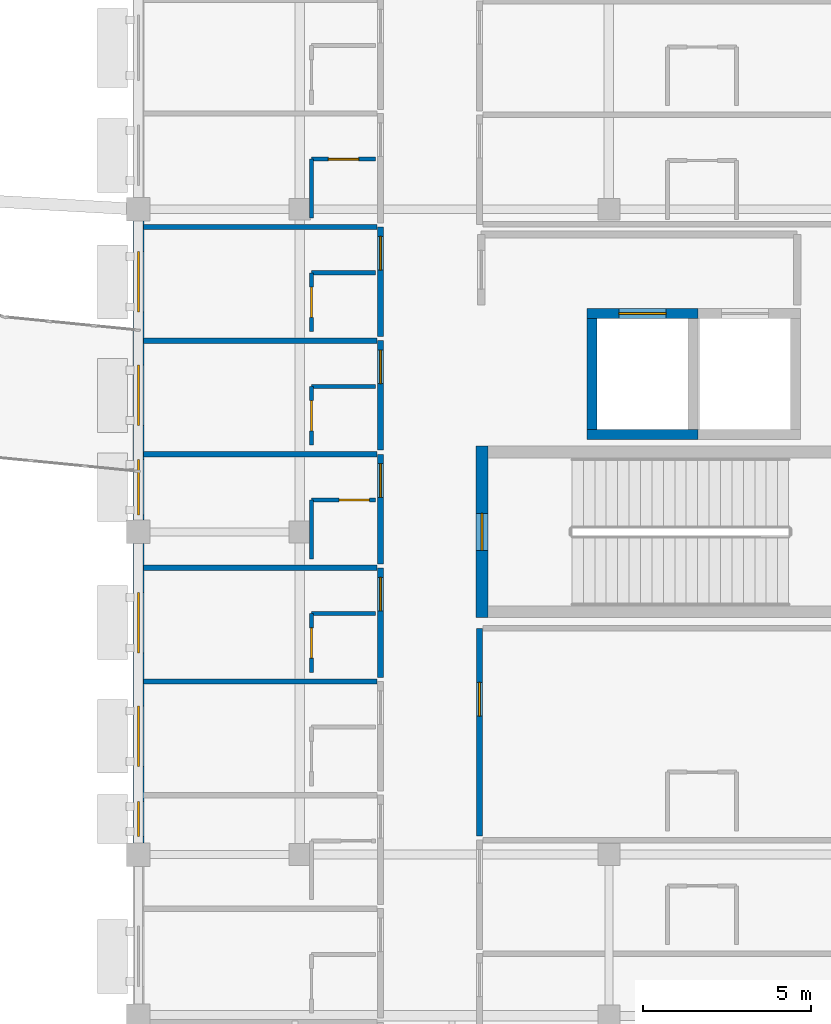
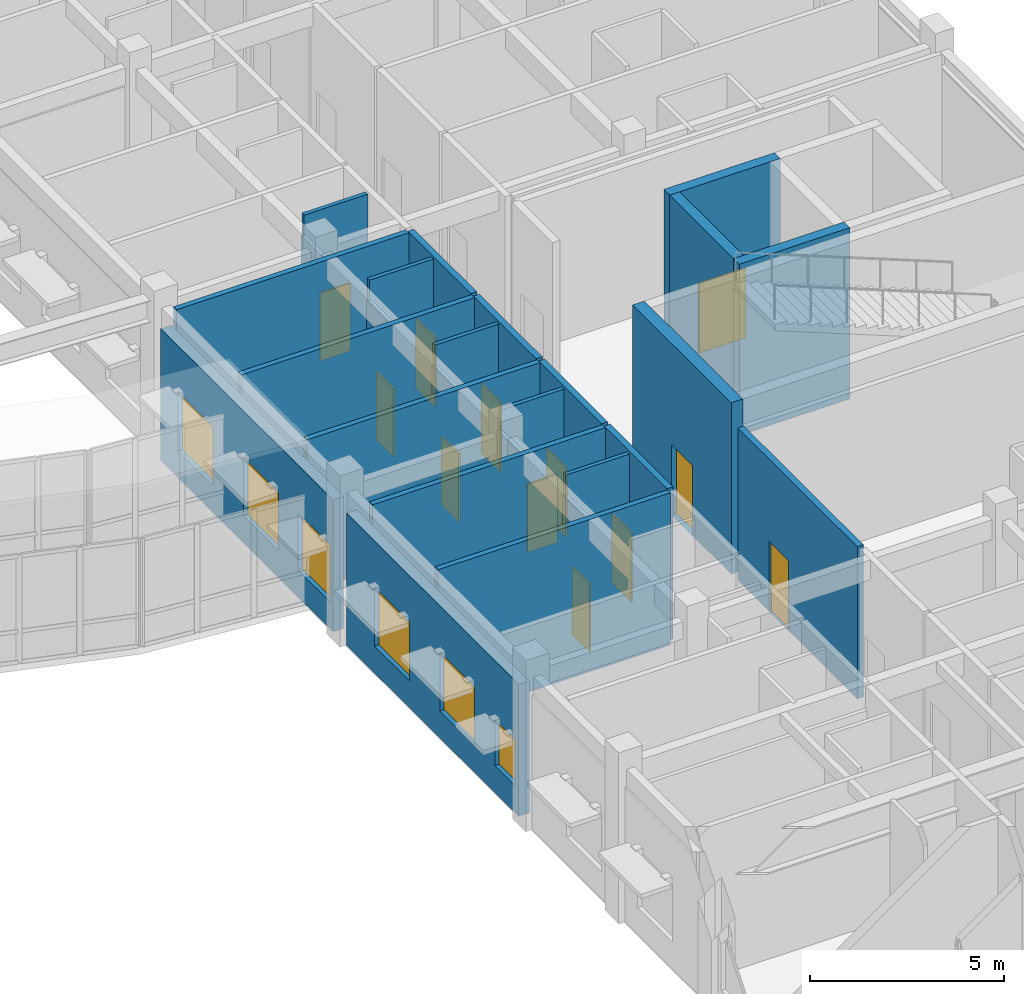
# One storey, part 50 of 68: 26 walls, 12 doors, 6 windows, 18 openings.
"""IFC4 building model written with IfcOpenShell, lengths in metres."""

from ifc_helpers import new_model, si_unit, direction, frame, frame_2d, origin, place, context, subcontext, project, spatial, rectangle, extrude, material, layer, layer_set, type_object, element, fill, save


model = new_model("IFC4")

# Units and contexts
model_context = context("Model", 3, precision=1e-05, world=origin(), true_north=direction((0.0, 1.0)))
body_context = subcontext(model_context, "Body", "Model", "MODEL_VIEW")
ifc_project = project(units=[si_unit("LENGTHUNIT", "METRE"), si_unit("AREAUNIT", "SQUARE_METRE"), si_unit("VOLUMEUNIT", "CUBIC_METRE"), si_unit("PLANEANGLEUNIT", "RADIAN"), si_unit("MASSUNIT", "GRAM", prefix="KILO")], contexts=[model_context])

# Site, building, storey
site_placement = place(None, origin())
site = spatial("IfcSite", under=ifc_project, at=site_placement, CompositionType="ELEMENT")
building_placement = place(site_placement, origin())
building = spatial("IfcBuilding", under=site, at=building_placement, Name="Veldera Park Congress Hotel", CompositionType="ELEMENT")
storey_placement = place(building_placement, frame((0.0, 0.0, 10.800048828125)))
storey = spatial("IfcBuildingStorey", under=building, at=storey_placement, Name="L02", CompositionType="ELEMENT", Elevation=10.800048828125)

# Wall, openings, windows
ifc_material_1 = material(Name="Cross-laminated timber CLT V2M1.1", Category="wood")
ifc_layer_1 = layer(ifc_material_1, 0.320068359375)
ifc_layer_set_1 = layer_set([ifc_layer_1], Name="Cross-laminated timber CLT V2M1.1")
wall_type_1 = type_object("IfcWallType", Name="EW-CLT320", PredefinedType="STANDARD", material=ifc_layer_set_1)
wall_1_placement = place(storey_placement, frame((60.800048828125, 0.251953125, 0.0), z_axis=(0.0, 0.0, 1.0), x_axis=(0.0, -1.0, 0.0)))
wall_1 = element("IfcWall", 1, at=wall_1_placement, inside=storey, type_object=wall_type_1, Name="L02 Exterior Wall EW3-L02-0201", PredefinedType="STANDARD", context=body_context, shape_type="SweptSolid", body=[
    extrude(rectangle(XDim=8.904052734375, YDim=0.320068359375, at=frame_2d((4.4521484375, 0.0))), origin(), (0.0, 0.0, 1.0), 4.155029296875),
])
opening_1_placement = place(wall_1_placement, frame((7.097900390625, 0.0, 0.85009765625)))
opening_1 = element("IfcOpeningElement", 2, at=opening_1_placement, cuts=wall_1, Name="Opening WIN-1650", PredefinedType="OPENING", context=body_context, shape_type="SweptSolid", body=[
    extrude(rectangle(XDim=1.64990234375, YDim=1.800048828125, at=frame_2d((0.824951171875, 0.89990234375))), frame((0.0, 0.172119140625, 0.0), z_axis=(0.0, -1.0, 0.0), x_axis=(1.0, 0.0, 0.0)), (0.0, 0.0, 1.0), 0.343994140625),
])
opening_2_placement = place(wall_1_placement, frame((4.2919921875, 0.0, 0.85009765625)))
opening_2 = element("IfcOpeningElement", 3, at=opening_2_placement, cuts=wall_1, Name="Opening WIN-1800", PredefinedType="OPENING", context=body_context, shape_type="SweptSolid", body=[
    extrude(rectangle(XDim=1.800048828125, YDim=1.85009765625, at=frame_2d((0.89990234375, 0.925048828125))), frame((0.0, 0.172119140625, 0.0), z_axis=(0.0, -1.0, 0.0), x_axis=(1.0, 0.0, 0.0)), (0.0, 0.0, 1.0), 0.343994140625),
])
opening_3_placement = place(wall_1_placement, frame((0.912109375, 0.0, 0.85009765625)))
opening_3 = element("IfcOpeningElement", 4, at=opening_3_placement, cuts=wall_1, Name="Opening WIN-1800", PredefinedType="OPENING", context=body_context, shape_type="SweptSolid", body=[
    extrude(rectangle(XDim=1.800048828125, YDim=1.85009765625, at=frame_2d((0.89990234375, 0.925048828125))), frame((0.0, 0.172119140625, 0.0), z_axis=(0.0, -1.0, 0.0), x_axis=(1.0, 0.0, 0.0)), (0.0, 0.0, 1.0), 0.343994140625),
])
ifc_material_2 = material(Name="Low-E Triple Insulating Glass Unit (SHGC 0.22)", Category="glass")
window_type_1 = type_object("IfcWindowType", Name="WIN-1650", PartitioningType="SINGLE_PANEL", PredefinedType="WINDOW", material=ifc_material_2)
window_1_placement = place(opening_1_placement, origin())
window_1 = element("IfcWindow", 5, at=window_1_placement, inside=storey, type_object=window_type_1, Name="L02 Window WIN-1650 367", OverallHeight=1.800048828125, OverallWidth=1.64990234375, PartitioningType="SINGLE_PANEL", PredefinedType="WINDOW", context=body_context, shape_type="SweptSolid", body=[
    extrude(rectangle(XDim=1.64990234375, YDim=1.800048828125, at=frame_2d((0.824951171875, 0.89990234375))), frame((0.0, 0.030029296875, 0.0), z_axis=(0.0, -1.0, 0.0), x_axis=(1.0, 0.0, 0.0)), (0.0, 0.0, 1.0), 0.06005859375),
])
fill(opening_1, window_1)
window_type_2 = type_object("IfcWindowType", Name="WIN-1800", PartitioningType="SINGLE_PANEL", PredefinedType="WINDOW", material=ifc_material_2)
window_2_placement = place(opening_2_placement, origin())
window_2 = element("IfcWindow", 6, at=window_2_placement, inside=storey, type_object=window_type_2, Name="L02 Window WIN-1800 368", OverallHeight=1.85009765625, OverallWidth=1.800048828125, PartitioningType="SINGLE_PANEL", PredefinedType="WINDOW", context=body_context, shape_type="SweptSolid", body=[
    extrude(rectangle(XDim=1.800048828125, YDim=1.85009765625, at=frame_2d((0.89990234375, 0.925048828125))), frame((0.0, 0.030029296875, 0.0), z_axis=(0.0, -1.0, 0.0), x_axis=(1.0, 0.0, 0.0)), (0.0, 0.0, 1.0), 0.06005859375),
])
fill(opening_2, window_2)
window_3_placement = place(opening_3_placement, origin())
window_3 = element("IfcWindow", 7, at=window_3_placement, inside=storey, type_object=window_type_2, Name="L02 Window WIN-1800 369", OverallHeight=1.85009765625, OverallWidth=1.800048828125, PartitioningType="SINGLE_PANEL", PredefinedType="WINDOW", context=body_context, shape_type="SweptSolid", body=[
    extrude(rectangle(XDim=1.800048828125, YDim=1.85009765625, at=frame_2d((0.89990234375, 0.925048828125))), frame((0.0, 0.030029296875, 0.0), z_axis=(0.0, -1.0, 0.0), x_axis=(1.0, 0.0, 0.0)), (0.0, 0.0, 1.0), 0.06005859375),
])
fill(opening_3, window_3)

wall_2_placement = place(storey_placement, frame((60.800048828125, -9.347900390625, 0.0), z_axis=(0.0, 0.0, 1.0), x_axis=(0.0, -1.0, 0.0)))
wall_2 = element("IfcWall", 8, at=wall_2_placement, inside=storey, type_object=wall_type_1, Name="L02 Exterior Wall EW3-L02-0202", PredefinedType="STANDARD", context=body_context, shape_type="SweptSolid", body=[
    extrude(rectangle(XDim=8.904052734375, YDim=0.320068359375, at=frame_2d((4.4521484375, 0.0))), origin(), (0.0, 0.0, 1.0), 4.155029296875),
])
opening_4_placement = place(wall_2_placement, frame((7.66796875, 0.0, 0.85009765625)))
opening_4 = element("IfcOpeningElement", 9, at=opening_4_placement, cuts=wall_2, Name="Opening WIN-1050", PredefinedType="OPENING", context=body_context, shape_type="SweptSolid", body=[
    extrude(rectangle(XDim=1.050048828125, YDim=1.449951171875, at=frame_2d((0.52490234375, 0.72509765625))), frame((0.0, 0.172119140625, 0.0), z_axis=(0.0, -1.0, 0.0), x_axis=(1.0, 0.0, 0.0)), (0.0, 0.0, 1.0), 0.343994140625),
])
opening_5_placement = place(wall_2_placement, frame((4.83203125, 0.0, 0.85009765625)))
opening_5 = element("IfcOpeningElement", 10, at=opening_5_placement, cuts=wall_2, Name="Opening WIN-1800", PredefinedType="OPENING", context=body_context, shape_type="SweptSolid", body=[
    extrude(rectangle(XDim=1.800048828125, YDim=1.85009765625, at=frame_2d((0.89990234375, 0.925048828125))), frame((0.0, 0.172119140625, 0.0), z_axis=(0.0, -1.0, 0.0), x_axis=(1.0, 0.0, 0.0)), (0.0, 0.0, 1.0), 0.343994140625),
])
opening_6_placement = place(wall_2_placement, frame((1.451904296875, 0.0, 0.85009765625)))
opening_6 = element("IfcOpeningElement", 11, at=opening_6_placement, cuts=wall_2, Name="Opening WIN-1800", PredefinedType="OPENING", context=body_context, shape_type="SweptSolid", body=[
    extrude(rectangle(XDim=1.800048828125, YDim=1.85009765625, at=frame_2d((0.89990234375, 0.925048828125))), frame((0.0, 0.172119140625, 0.0), z_axis=(0.0, -1.0, 0.0), x_axis=(1.0, 0.0, 0.0)), (0.0, 0.0, 1.0), 0.343994140625),
])
window_type_3 = type_object("IfcWindowType", Name="WIN-1050", PartitioningType="SINGLE_PANEL", PredefinedType="WINDOW", material=ifc_material_2)
window_4_placement = place(opening_4_placement, origin())
window_4 = element("IfcWindow", 12, at=window_4_placement, inside=storey, type_object=window_type_3, Name="L02 Window WIN-1050 364", OverallHeight=1.449951171875, OverallWidth=1.050048828125, PartitioningType="SINGLE_PANEL", PredefinedType="WINDOW", context=body_context, shape_type="SweptSolid", body=[
    extrude(rectangle(XDim=1.050048828125, YDim=1.449951171875, at=frame_2d((0.52490234375, 0.72509765625))), frame((0.0, 0.030029296875, 0.0), z_axis=(0.0, -1.0, 0.0), x_axis=(1.0, 0.0, 0.0)), (0.0, 0.0, 1.0), 0.06005859375),
])
fill(opening_4, window_4)
window_5_placement = place(opening_5_placement, origin())
window_5 = element("IfcWindow", 13, at=window_5_placement, inside=storey, type_object=window_type_2, Name="L02 Window WIN-1800 365", OverallHeight=1.85009765625, OverallWidth=1.800048828125, PartitioningType="SINGLE_PANEL", PredefinedType="WINDOW", context=body_context, shape_type="SweptSolid", body=[
    extrude(rectangle(XDim=1.800048828125, YDim=1.85009765625, at=frame_2d((0.89990234375, 0.925048828125))), frame((0.0, 0.030029296875, 0.0), z_axis=(0.0, -1.0, 0.0), x_axis=(1.0, 0.0, 0.0)), (0.0, 0.0, 1.0), 0.06005859375),
])
fill(opening_5, window_5)
window_6_placement = place(opening_6_placement, origin())
window_6 = element("IfcWindow", 14, at=window_6_placement, inside=storey, type_object=window_type_2, Name="L02 Window WIN-1800 366", OverallHeight=1.85009765625, OverallWidth=1.800048828125, PartitioningType="SINGLE_PANEL", PredefinedType="WINDOW", context=body_context, shape_type="SweptSolid", body=[
    extrude(rectangle(XDim=1.800048828125, YDim=1.85009765625, at=frame_2d((0.89990234375, 0.925048828125))), frame((0.0, 0.030029296875, 0.0), z_axis=(0.0, -1.0, 0.0), x_axis=(1.0, 0.0, 0.0)), (0.0, 0.0, 1.0), 0.06005859375),
])
fill(opening_6, window_6)

# Wall, opening, door
ifc_material_3 = material(Name="Fire-Rated Gypsum Board on Cold-Formed Steel Studs", Category="steel")
ifc_layer_2 = layer(ifc_material_3, 0.1201171875)
ifc_layer_set_2 = layer_set([ifc_layer_2], Name="Fire-Rated Gypsum Board on Cold-Formed Steel Studs")
wall_type_2 = type_object("IfcWallType", Name="IW-BATH120", PredefinedType="PARTITIONING", material=ifc_layer_set_2)
wall_3_placement = place(storey_placement, frame((65.949951171875, -13.179931640625, 0.0), z_axis=(0.0, 0.0, 1.0), x_axis=(0.0, 1.0, 0.0)))
wall_3 = element("IfcWall", 15, at=wall_3_placement, inside=storey, type_object=wall_type_2, Name="L02 Partition Wall IW3-L02-00402", PredefinedType="PARTITIONING", context=body_context, shape_type="SweptSolid", body=[
    extrude(rectangle(XDim=1.75, YDim=0.1201171875, at=frame_2d((0.875, 0.0))), origin(), (0.0, 0.0, 1.0), 4.155029296875),
])
opening_7_placement = place(wall_3_placement, frame((0.425048828125, 0.0, 0.0)))
opening_7 = element("IfcOpeningElement", 16, at=opening_7_placement, cuts=wall_3, Name="Opening ID-BATH090", PredefinedType="OPENING", context=body_context, shape_type="SweptSolid", body=[
    extrude(rectangle(XDim=0.89990234375, YDim=2.14990234375, at=frame_2d((0.449951171875, 1.074951171875))), frame((0.0, 0.072021484375, 0.0), z_axis=(0.0, -1.0, 0.0), x_axis=(1.0, 0.0, 0.0)), (0.0, 0.0, 1.0), 0.14404296875),
])
ifc_material_4 = material(Name="Solid Core White Oak Architectural Door", Category="wood")
door_type_1 = type_object("IfcDoorType", Name="ID-BATH090", OperationType="NOTDEFINED", PredefinedType="DOOR", material=ifc_material_4)
door_1_placement = place(opening_7_placement, origin())
door_1 = element("IfcDoor", 17, at=door_1_placement, inside=storey, type_object=door_type_1, Name="L02 En-suite 010 Door ID3-L02-0159 (DR3-ID3-L02-0159)", OperationType="SINGLE_SWING_LEFT", OverallHeight=2.14990234375, OverallWidth=0.89990234375, PredefinedType="DOOR", context=body_context, shape_type="SweptSolid", body=[
    extrude(rectangle(XDim=0.89990234375, YDim=2.14990234375, at=frame_2d((0.449951171875, 1.074951171875))), frame((0.0, 0.02490234375, 0.0), z_axis=(0.0, -1.0, 0.0), x_axis=(1.0, 0.0, 0.0)), (0.0, 0.0, 1.0), 0.050048828125),
])
fill(opening_7, door_1)

# Walls
wall_4_placement = place(storey_placement, frame((65.949951171875, -11.429931640625, 0.0), z_axis=(0.0, 0.0, 1.0), x_axis=(1.0, 0.0, 0.0)))
element("IfcWall", 18, at=wall_4_placement, inside=storey, type_object=wall_type_2, Name="L02 Partition Wall IW3-L02-00403", PredefinedType="PARTITIONING", context=body_context, shape_type="SweptSolid", body=[
    extrude(rectangle(XDim=1.900146484375, YDim=0.1201171875, at=frame_2d((0.9501953125, 0.0))), origin(), (0.0, 0.0, 1.0), 4.800048828125),
])
wall_5_placement = place(storey_placement, frame((65.949951171875, -9.800048828125, 0.0), z_axis=(0.0, 0.0, 1.0), x_axis=(0.0, 1.0, 0.0)))
element("IfcWall", 19, at=wall_5_placement, inside=storey, type_object=wall_type_2, Name="L02 Partition Wall IW3-L02-00406", PredefinedType="PARTITIONING", context=body_context, shape_type="SweptSolid", body=[
    extrude(rectangle(XDim=1.75, YDim=0.1201171875, at=frame_2d((0.875, 0.0))), origin(), (0.0, 0.0, 1.0), 4.155029296875),
])

# Wall, opening, door
wall_6_placement = place(storey_placement, frame((65.949951171875, -8.050048828125, 0.0), z_axis=(0.0, 0.0, 1.0), x_axis=(1.0, 0.0, 0.0)))
wall_6 = element("IfcWall", 20, at=wall_6_placement, inside=storey, type_object=wall_type_2, Name="L02 Partition Wall IW3-L02-00407", PredefinedType="PARTITIONING", context=body_context, shape_type="SweptSolid", body=[
    extrude(rectangle(XDim=1.900146484375, YDim=0.1201171875, at=frame_2d((0.9501953125, 0.0))), origin(), (0.0, 0.0, 1.0), 4.800048828125),
])
opening_8_placement = place(wall_6_placement, frame((0.822998046875, 0.0, 0.0)))
opening_8 = element("IfcOpeningElement", 21, at=opening_8_placement, cuts=wall_6, Name="Opening ID-BATH090", PredefinedType="OPENING", context=body_context, shape_type="SweptSolid", body=[
    extrude(rectangle(XDim=0.89990234375, YDim=2.14990234375, at=frame_2d((0.449951171875, 1.074951171875))), frame((0.0, 0.072021484375, 0.0), z_axis=(0.0, -1.0, 0.0), x_axis=(1.0, 0.0, 0.0)), (0.0, 0.0, 1.0), 0.14404296875),
])
door_2_placement = place(opening_8_placement, origin())
door_2 = element("IfcDoor", 22, at=door_2_placement, inside=storey, type_object=door_type_1, Name="L02 En-suite 011 Door ID3-L02-0161 (DR3-ID3-L02-0161)", OperationType="SINGLE_SWING_LEFT", OverallHeight=2.14990234375, OverallWidth=0.89990234375, PredefinedType="DOOR", context=body_context, shape_type="SweptSolid", body=[
    extrude(rectangle(XDim=0.89990234375, YDim=2.14990234375, at=frame_2d((0.449951171875, 1.074951171875))), frame((0.0, 0.02490234375, 0.0), z_axis=(0.0, -1.0, 0.0), x_axis=(1.0, 0.0, 0.0)), (0.0, 0.0, 1.0), 0.050048828125),
])
fill(opening_8, door_2)

wall_7_placement = place(storey_placement, frame((65.949951171875, -6.419921875, 0.0), z_axis=(0.0, 0.0, 1.0), x_axis=(0.0, 1.0, 0.0)))
wall_7 = element("IfcWall", 23, at=wall_7_placement, inside=storey, type_object=wall_type_2, Name="L02 Partition Wall IW3-L02-00410", PredefinedType="PARTITIONING", context=body_context, shape_type="SweptSolid", body=[
    extrude(rectangle(XDim=1.75, YDim=0.1201171875, at=frame_2d((0.875, 0.0))), origin(), (0.0, 0.0, 1.0), 4.155029296875),
])
opening_9_placement = place(wall_7_placement, frame((0.425048828125, 0.0, 0.0)))
opening_9 = element("IfcOpeningElement", 24, at=opening_9_placement, cuts=wall_7, Name="Opening ID-BATH090", PredefinedType="OPENING", context=body_context, shape_type="SweptSolid", body=[
    extrude(rectangle(XDim=0.89990234375, YDim=2.14990234375, at=frame_2d((0.449951171875, 1.074951171875))), frame((0.0, 0.072021484375, 0.0), z_axis=(0.0, -1.0, 0.0), x_axis=(1.0, 0.0, 0.0)), (0.0, 0.0, 1.0), 0.14404296875),
])
door_3_placement = place(opening_9_placement, origin())
door_3 = element("IfcDoor", 25, at=door_3_placement, inside=storey, type_object=door_type_1, Name="L02 En-suite 012 Door ID3-L02-0163 (DR3-ID3-L02-0163)", OperationType="SINGLE_SWING_LEFT", OverallHeight=2.14990234375, OverallWidth=0.89990234375, PredefinedType="DOOR", context=body_context, shape_type="SweptSolid", body=[
    extrude(rectangle(XDim=0.89990234375, YDim=2.14990234375, at=frame_2d((0.449951171875, 1.074951171875))), frame((0.0, 0.02490234375, 0.0), z_axis=(0.0, -1.0, 0.0), x_axis=(1.0, 0.0, 0.0)), (0.0, 0.0, 1.0), 0.050048828125),
])
fill(opening_9, door_3)

# Wall
wall_8_placement = place(storey_placement, frame((65.949951171875, -4.669921875, 0.0), z_axis=(0.0, 0.0, 1.0), x_axis=(1.0, 0.0, 0.0)))
element("IfcWall", 26, at=wall_8_placement, inside=storey, type_object=wall_type_2, Name="L02 Partition Wall IW3-L02-00411", PredefinedType="PARTITIONING", context=body_context, shape_type="SweptSolid", body=[
    extrude(rectangle(XDim=1.900146484375, YDim=0.1201171875, at=frame_2d((0.9501953125, 0.0))), origin(), (0.0, 0.0, 1.0), 4.800048828125),
])

# Wall, opening, door
wall_9_placement = place(storey_placement, frame((65.949951171875, -3.0400390625, 0.0), z_axis=(0.0, 0.0, 1.0), x_axis=(0.0, 1.0, 0.0)))
wall_9 = element("IfcWall", 27, at=wall_9_placement, inside=storey, type_object=wall_type_2, Name="L02 Partition Wall IW3-L02-00414", PredefinedType="PARTITIONING", context=body_context, shape_type="SweptSolid", body=[
    extrude(rectangle(XDim=1.75, YDim=0.1201171875, at=frame_2d((0.875, 0.0))), origin(), (0.0, 0.0, 1.0), 4.155029296875),
])
opening_10_placement = place(wall_9_placement, frame((0.425048828125, 0.0, 0.0)))
opening_10 = element("IfcOpeningElement", 28, at=opening_10_placement, cuts=wall_9, Name="Opening ID-BATH090", PredefinedType="OPENING", context=body_context, shape_type="SweptSolid", body=[
    extrude(rectangle(XDim=0.89990234375, YDim=2.14990234375, at=frame_2d((0.449951171875, 1.074951171875))), frame((0.0, 0.072021484375, 0.0), z_axis=(0.0, -1.0, 0.0), x_axis=(1.0, 0.0, 0.0)), (0.0, 0.0, 1.0), 0.14404296875),
])
door_4_placement = place(opening_10_placement, origin())
door_4 = element("IfcDoor", 29, at=door_4_placement, inside=storey, type_object=door_type_1, Name="L02 En-suite 013 Door ID3-L02-0165 (DR3-ID3-L02-0165)", OperationType="SINGLE_SWING_LEFT", OverallHeight=2.14990234375, OverallWidth=0.89990234375, PredefinedType="DOOR", context=body_context, shape_type="SweptSolid", body=[
    extrude(rectangle(XDim=0.89990234375, YDim=2.14990234375, at=frame_2d((0.449951171875, 1.074951171875))), frame((0.0, 0.02490234375, 0.0), z_axis=(0.0, -1.0, 0.0), x_axis=(1.0, 0.0, 0.0)), (0.0, 0.0, 1.0), 0.050048828125),
])
fill(opening_10, door_4)

# Walls
wall_10_placement = place(storey_placement, frame((65.949951171875, -1.2900390625, 0.0), z_axis=(0.0, 0.0, 1.0), x_axis=(1.0, 0.0, 0.0)))
element("IfcWall", 30, at=wall_10_placement, inside=storey, type_object=wall_type_2, Name="L02 Partition Wall IW3-L02-00415", PredefinedType="PARTITIONING", context=body_context, shape_type="SweptSolid", body=[
    extrude(rectangle(XDim=1.900146484375, YDim=0.1201171875, at=frame_2d((0.9501953125, 0.0))), origin(), (0.0, 0.0, 1.0), 4.800048828125),
])
wall_11_placement = place(storey_placement, frame((65.949951171875, 0.340087890625, 0.0), z_axis=(0.0, 0.0, 1.0), x_axis=(0.0, 1.0, 0.0)))
element("IfcWall", 31, at=wall_11_placement, inside=storey, type_object=wall_type_2, Name="L02 Partition Wall IW3-L02-00418", PredefinedType="PARTITIONING", context=body_context, shape_type="SweptSolid", body=[
    extrude(rectangle(XDim=1.75, YDim=0.1201171875, at=frame_2d((0.875, 0.0))), origin(), (0.0, 0.0, 1.0), 4.155029296875),
])

# Wall, opening, door
wall_12_placement = place(storey_placement, frame((65.949951171875, 2.090087890625, 0.0), z_axis=(0.0, 0.0, 1.0), x_axis=(1.0, 0.0, 0.0)))
wall_12 = element("IfcWall", 32, at=wall_12_placement, inside=storey, type_object=wall_type_2, Name="L02 Partition Wall IW3-L02-00419", PredefinedType="PARTITIONING", context=body_context, shape_type="SweptSolid", body=[
    extrude(rectangle(XDim=1.900146484375, YDim=0.1201171875, at=frame_2d((0.9501953125, 0.0))), origin(), (0.0, 0.0, 1.0), 4.800048828125),
])
opening_11_placement = place(wall_12_placement, frame((0.5, 0.0, 0.0)))
opening_11 = element("IfcOpeningElement", 33, at=opening_11_placement, cuts=wall_12, Name="Opening ID-BATH090", PredefinedType="OPENING", context=body_context, shape_type="SweptSolid", body=[
    extrude(rectangle(XDim=0.89990234375, YDim=2.14990234375, at=frame_2d((0.449951171875, 1.074951171875))), frame((0.0, 0.072021484375, 0.0), z_axis=(0.0, -1.0, 0.0), x_axis=(1.0, 0.0, 0.0)), (0.0, 0.0, 1.0), 0.14404296875),
])
door_5_placement = place(opening_11_placement, origin())
door_5 = element("IfcDoor", 34, at=door_5_placement, inside=storey, type_object=door_type_1, Name="L02 En-suite 014 Door ID3-L02-0167 (DR3-ID3-L02-0167)", OperationType="SINGLE_SWING_LEFT", OverallHeight=2.14990234375, OverallWidth=0.89990234375, PredefinedType="DOOR", context=body_context, shape_type="SweptSolid", body=[
    extrude(rectangle(XDim=0.89990234375, YDim=2.14990234375, at=frame_2d((0.449951171875, 1.074951171875))), frame((0.0, 0.02490234375, 0.0), z_axis=(0.0, -1.0, 0.0), x_axis=(1.0, 0.0, 0.0)), (0.0, 0.0, 1.0), 0.050048828125),
])
fill(opening_11, door_5)

ifc_layer_3 = layer(ifc_material_3, 0.179931640625)
ifc_layer_set_3 = layer_set([ifc_layer_3], Name="Fire-Rated Gypsum Board on Cold-Formed Steel Studs")
wall_type_3 = type_object("IfcWallType", Name="IW-CORR180", PredefinedType="PARTITIONING", material=ifc_layer_set_3)
wall_13_placement = place(storey_placement, frame((68.0, -13.330078125, 0.0), z_axis=(0.0, 0.0, 1.0), x_axis=(0.0, 1.0, 0.0)))
wall_13 = element("IfcWall", 35, at=wall_13_placement, inside=storey, type_object=wall_type_3, Name="L02 Corridor Wall IW3-L02-00400", PredefinedType="PARTITIONING", context=body_context, shape_type="SweptSolid", body=[
    extrude(rectangle(XDim=3.260009765625, YDim=0.179931640625, at=frame_2d((1.6298828125, 0.0))), origin(), (0.0, 0.0, 1.0), 4.800048828125),
])
opening_12_placement = place(wall_13_placement, frame((1.97998046875, 0.0, 0.0)))
opening_12 = element("IfcOpeningElement", 36, at=opening_12_placement, cuts=wall_13, Name="Opening ID-UNIT100", PredefinedType="OPENING", context=body_context, shape_type="SweptSolid", body=[
    extrude(rectangle(XDim=1.0, YDim=2.199951171875, at=frame_2d((0.5, 1.10009765625))), frame((0.0, 0.10205078125, 0.0), z_axis=(0.0, -1.0, 0.0), x_axis=(1.0, 0.0, 0.0)), (0.0, 0.0, 1.0), 0.203857421875),
])
door_type_2 = type_object("IfcDoorType", Name="ID-UNIT100", OperationType="NOTDEFINED", PredefinedType="DOOR", material=ifc_material_4)
door_6_placement = place(opening_12_placement, origin())
door_6 = element("IfcDoor", 37, at=door_6_placement, inside=storey, type_object=door_type_2, Name="L02 Guestroom 010 Entry Door (DR3-UD3-L02-010)", OperationType="SINGLE_SWING_RIGHT", OverallHeight=2.199951171875, OverallWidth=1.0, PredefinedType="DOOR", context=body_context, shape_type="SweptSolid", body=[
    extrude(rectangle(XDim=1.0, YDim=2.199951171875, at=frame_2d((0.5, 1.10009765625))), frame((0.0, 0.02490234375, 0.0), z_axis=(0.0, -1.0, 0.0), x_axis=(1.0, 0.0, 0.0)), (0.0, 0.0, 1.0), 0.050048828125),
])
fill(opening_12, door_6)

wall_14_placement = place(storey_placement, frame((68.0, -9.949951171875, 0.0), z_axis=(0.0, 0.0, 1.0), x_axis=(0.0, 1.0, 0.0)))
wall_14 = element("IfcWall", 38, at=wall_14_placement, inside=storey, type_object=wall_type_3, Name="L02 Corridor Wall IW3-L02-00404", PredefinedType="PARTITIONING", context=body_context, shape_type="SweptSolid", body=[
    extrude(rectangle(XDim=3.260009765625, YDim=0.179931640625, at=frame_2d((1.6298828125, 0.0))), origin(), (0.0, 0.0, 1.0), 4.800048828125),
])
opening_13_placement = place(wall_14_placement, frame((1.97998046875, 0.0, 0.0)))
opening_13 = element("IfcOpeningElement", 39, at=opening_13_placement, cuts=wall_14, Name="Opening ID-UNIT100", PredefinedType="OPENING", context=body_context, shape_type="SweptSolid", body=[
    extrude(rectangle(XDim=1.0, YDim=2.199951171875, at=frame_2d((0.5, 1.10009765625))), frame((0.0, 0.10205078125, 0.0), z_axis=(0.0, -1.0, 0.0), x_axis=(1.0, 0.0, 0.0)), (0.0, 0.0, 1.0), 0.203857421875),
])
door_7_placement = place(opening_13_placement, origin())
door_7 = element("IfcDoor", 40, at=door_7_placement, inside=storey, type_object=door_type_2, Name="L02 Guestroom 011 Entry Door (DR3-UD3-L02-011)", OperationType="SINGLE_SWING_RIGHT", OverallHeight=2.199951171875, OverallWidth=1.0, PredefinedType="DOOR", context=body_context, shape_type="SweptSolid", body=[
    extrude(rectangle(XDim=1.0, YDim=2.199951171875, at=frame_2d((0.5, 1.10009765625))), frame((0.0, 0.02490234375, 0.0), z_axis=(0.0, -1.0, 0.0), x_axis=(1.0, 0.0, 0.0)), (0.0, 0.0, 1.0), 0.050048828125),
])
fill(opening_13, door_7)

wall_15_placement = place(storey_placement, frame((68.0, -6.570068359375, 0.0), z_axis=(0.0, 0.0, 1.0), x_axis=(0.0, 1.0, 0.0)))
wall_15 = element("IfcWall", 41, at=wall_15_placement, inside=storey, type_object=wall_type_3, Name="L02 Corridor Wall IW3-L02-00408", PredefinedType="PARTITIONING", context=body_context, shape_type="SweptSolid", body=[
    extrude(rectangle(XDim=3.260009765625, YDim=0.179931640625, at=frame_2d((1.6298828125, 0.0))), origin(), (0.0, 0.0, 1.0), 4.800048828125),
])
opening_14_placement = place(wall_15_placement, frame((1.97998046875, 0.0, 0.0)))
opening_14 = element("IfcOpeningElement", 42, at=opening_14_placement, cuts=wall_15, Name="Opening ID-UNIT100", PredefinedType="OPENING", context=body_context, shape_type="SweptSolid", body=[
    extrude(rectangle(XDim=1.0, YDim=2.199951171875, at=frame_2d((0.5, 1.10009765625))), frame((0.0, 0.10205078125, 0.0), z_axis=(0.0, -1.0, 0.0), x_axis=(1.0, 0.0, 0.0)), (0.0, 0.0, 1.0), 0.203857421875),
])
door_8_placement = place(opening_14_placement, origin())
door_8 = element("IfcDoor", 43, at=door_8_placement, inside=storey, type_object=door_type_2, Name="L02 Guestroom 012 Entry Door (DR3-UD3-L02-012)", OperationType="SINGLE_SWING_RIGHT", OverallHeight=2.199951171875, OverallWidth=1.0, PredefinedType="DOOR", context=body_context, shape_type="SweptSolid", body=[
    extrude(rectangle(XDim=1.0, YDim=2.199951171875, at=frame_2d((0.5, 1.10009765625))), frame((0.0, 0.02490234375, 0.0), z_axis=(0.0, -1.0, 0.0), x_axis=(1.0, 0.0, 0.0)), (0.0, 0.0, 1.0), 0.050048828125),
])
fill(opening_14, door_8)

wall_16_placement = place(storey_placement, frame((68.0, -3.18994140625, 0.0), z_axis=(0.0, 0.0, 1.0), x_axis=(0.0, 1.0, 0.0)))
wall_16 = element("IfcWall", 44, at=wall_16_placement, inside=storey, type_object=wall_type_3, Name="L02 Corridor Wall IW3-L02-00412", PredefinedType="PARTITIONING", context=body_context, shape_type="SweptSolid", body=[
    extrude(rectangle(XDim=3.260009765625, YDim=0.179931640625, at=frame_2d((1.6298828125, 0.0))), origin(), (0.0, 0.0, 1.0), 4.800048828125),
])
opening_15_placement = place(wall_16_placement, frame((1.97998046875, 0.0, 0.0)))
opening_15 = element("IfcOpeningElement", 45, at=opening_15_placement, cuts=wall_16, Name="Opening ID-UNIT100", PredefinedType="OPENING", context=body_context, shape_type="SweptSolid", body=[
    extrude(rectangle(XDim=1.0, YDim=2.199951171875, at=frame_2d((0.5, 1.10009765625))), frame((0.0, 0.10205078125, 0.0), z_axis=(0.0, -1.0, 0.0), x_axis=(1.0, 0.0, 0.0)), (0.0, 0.0, 1.0), 0.203857421875),
])
door_9_placement = place(opening_15_placement, origin())
door_9 = element("IfcDoor", 46, at=door_9_placement, inside=storey, type_object=door_type_2, Name="L02 Guestroom 013 Entry Door (DR3-UD3-L02-013)", OperationType="SINGLE_SWING_RIGHT", OverallHeight=2.199951171875, OverallWidth=1.0, PredefinedType="DOOR", context=body_context, shape_type="SweptSolid", body=[
    extrude(rectangle(XDim=1.0, YDim=2.199951171875, at=frame_2d((0.5, 1.10009765625))), frame((0.0, 0.02490234375, 0.0), z_axis=(0.0, -1.0, 0.0), x_axis=(1.0, 0.0, 0.0)), (0.0, 0.0, 1.0), 0.050048828125),
])
fill(opening_15, door_9)

wall_17_placement = place(storey_placement, frame((70.949951171875, -11.8701171875, 0.0), z_axis=(0.0, 0.0, 1.0), x_axis=(0.0, -1.0, 0.0)))
wall_17 = element("IfcWall", 47, at=wall_17_placement, inside=storey, type_object=wall_type_3, Name="L02 Corridor Wall IW3-L02-00499", PredefinedType="PARTITIONING", context=body_context, shape_type="SweptSolid", body=[
    extrude(rectangle(XDim=6.179931640625, YDim=0.179931640625, at=frame_2d((3.08984375, 0.0))), origin(), (0.0, 0.0, 1.0), 4.800048828125),
])
opening_16_placement = place(wall_17_placement, frame((1.610107421875, 0.0, 0.0)))
opening_16 = element("IfcOpeningElement", 48, at=opening_16_placement, cuts=wall_17, Name="Opening ID-UNIT100", PredefinedType="OPENING", context=body_context, shape_type="SweptSolid", body=[
    extrude(rectangle(XDim=1.0, YDim=2.199951171875, at=frame_2d((0.5, 1.10009765625))), frame((0.0, 0.10205078125, 0.0), z_axis=(0.0, -1.0, 0.0), x_axis=(1.0, 0.0, 0.0)), (0.0, 0.0, 1.0), 0.203857421875),
])
door_10_placement = place(opening_16_placement, origin())
door_10 = element("IfcDoor", 49, at=door_10_placement, inside=storey, type_object=door_type_2, Name="L02 Guestroom 032 Entry Door (DR3-UD3-L02-032)", OperationType="SINGLE_SWING_RIGHT", OverallHeight=2.199951171875, OverallWidth=1.0, PredefinedType="DOOR", context=body_context, shape_type="SweptSolid", body=[
    extrude(rectangle(XDim=1.0, YDim=2.199951171875, at=frame_2d((0.5, 1.10009765625))), frame((0.0, 0.02490234375, 0.0), z_axis=(0.0, -1.0, 0.0), x_axis=(1.0, 0.0, 0.0)), (0.0, 0.0, 1.0), 0.050048828125),
])
fill(opening_16, door_10)

# Walls
ifc_layer_4 = layer(ifc_material_1, 0.159912109375)
ifc_layer_set_4 = layer_set([ifc_layer_4], Name="Cross-laminated timber CLT V2M1.1")
wall_type_4 = type_object("IfcWallType", Name="IW-UNIT160", PredefinedType="PARTITIONING", material=ifc_layer_set_4)
for number, where, z_axis, x_axis, name in (
    (50, (60.9599609375, -13.449951171875, 0.0), (0.0, 0.0, 1.0), (1.0, 0.0, 0.0), "L02 Partition Wall IW3-L02-00397"),
    (51, (60.9599609375, -10.070068359375, 0.0), (0.0, 0.0, 1.0), (1.0, 0.0, 0.0), "L02 Partition Wall IW3-L02-00401"),
    (52, (60.9599609375, -6.68994140625, 0.0), (0.0, 0.0, 1.0), (1.0, 0.0, 0.0), "L02 Partition Wall IW3-L02-00405"),
    (53, (60.9599609375, -3.31005859375, 0.0), (0.0, 0.0, 1.0), (1.0, 0.0, 0.0), "L02 Partition Wall IW3-L02-00409"),
    (54, (60.9599609375, 0.070068359375, 0.0), (0.0, 0.0, 1.0), (1.0, 0.0, 0.0), "L02 Partition Wall IW3-L02-00413"),
):
    element("IfcWall", number, at=place(storey_placement, frame(where, z_axis=z_axis, x_axis=x_axis)), inside=storey, type_object=wall_type_4, Name=name, PredefinedType="PARTITIONING", context=body_context, shape_type="SweptSolid", body=[
        extrude(rectangle(XDim=6.93994140625, YDim=0.159912109375, at=frame_2d((3.469970703125, 0.0))), origin(), (0.0, 0.0, 1.0), 4.800048828125),
    ])

# Wall, opening, door
ifc_material_5 = material(Name="Concrete f'c 40 MPa (5,800 psi)", Category="concrete")
ifc_layer_5 = layer(ifc_material_5, 0.35009765625)
ifc_layer_set_5 = layer_set([ifc_layer_5], Name="Concrete f'c 40 MPa (5,800 psi)")
wall_type_5 = type_object("IfcWallType", Name="SW-CORE350", PredefinedType="SHEAR", material=ifc_layer_set_5)
wall_18_placement = place(storey_placement, frame((71.02490234375, -6.449951171875, 0.0), z_axis=(0.0, 0.0, 1.0), x_axis=(0.0, -1.0, 0.0)))
wall_18 = element("IfcWall", 55, at=wall_18_placement, inside=storey, type_object=wall_type_5, Name="Stair ST2 Core Wall L02-W", PredefinedType="SHEAR", context=body_context, shape_type="SweptSolid", body=[
    extrude(rectangle(XDim=5.10009765625, YDim=0.35009765625, at=frame_2d((2.550048828125, 0.0))), origin(), (0.0, 0.0, 1.0), 5.39990234375),
])
opening_17_placement = place(wall_18_placement, frame((2.0, 0.0, 0.0)))
opening_17 = element("IfcOpeningElement", 56, at=opening_17_placement, cuts=wall_18, Name="Opening ID-STAIR110", PredefinedType="OPENING", context=body_context, shape_type="SweptSolid", body=[
    extrude(rectangle(XDim=1.10009765625, YDim=2.199951171875, at=frame_2d((0.550048828125, 1.10009765625))), frame((0.0, 0.18701171875, 0.0), z_axis=(0.0, -1.0, 0.0), x_axis=(1.0, 0.0, 0.0)), (0.0, 0.0, 1.0), 0.3740234375),
])
ifc_material_6 = material(Name="Hollow Metal Fire-Rated Steel Door", Category="steel")
door_type_3 = type_object("IfcDoorType", Name="ID-STAIR110", OperationType="NOTDEFINED", PredefinedType="DOOR", material=ifc_material_6)
door_11_placement = place(opening_17_placement, origin())
door_11 = element("IfcDoor", 57, at=door_11_placement, inside=storey, type_object=door_type_3, Name="L02 Stair ST2 Fire Door (DR3-SD-ST2-L02)", OperationType="SINGLE_SWING_LEFT", OverallHeight=2.199951171875, OverallWidth=1.10009765625, PredefinedType="DOOR", context=body_context, shape_type="SweptSolid", body=[
    extrude(rectangle(XDim=1.10009765625, YDim=2.199951171875, at=frame_2d((0.550048828125, 1.10009765625))), frame((0.0, 0.02490234375, 0.0), z_axis=(0.0, -1.0, 0.0), x_axis=(1.0, 0.0, 0.0)), (0.0, 0.0, 1.0), 0.050048828125),
])
fill(opening_17, door_11)

# Wall
ifc_layer_6 = layer(ifc_material_5, 0.300048828125)
ifc_layer_set_6 = layer_set([ifc_layer_6], Name="Concrete f'c 40 MPa (5,800 psi)")
wall_type_6 = type_object("IfcWallType", Name="SW-SHFT300", PredefinedType="SHEAR", material=ifc_layer_set_6)
wall_19_placement = place(storey_placement, frame((74.14990234375, -6.10009765625, 0.0), z_axis=(0.0, 0.0, 1.0), x_axis=(1.0, 0.0, 0.0)))
element("IfcWall", 58, at=wall_19_placement, inside=storey, type_object=wall_type_6, Name="Lift SL-01 Shaft Wall L02-S", PredefinedType="SHEAR", context=body_context, shape_type="SweptSolid", body=[
    extrude(rectangle(XDim=3.300048828125, YDim=0.300048828125, at=frame_2d((1.64990234375, 0.0))), origin(), (0.0, 0.0, 1.0), 5.39990234375),
])

# Wall, opening, door
wall_20_placement = place(storey_placement, frame((77.449951171875, -2.5, 0.0), z_axis=(0.0, 0.0, 1.0), x_axis=(-1.0, 0.0, 0.0)))
wall_20 = element("IfcWall", 59, at=wall_20_placement, inside=storey, type_object=wall_type_6, Name="Lift SL-01 Shaft Wall L02-N", PredefinedType="SHEAR", context=body_context, shape_type="SweptSolid", body=[
    extrude(rectangle(XDim=3.300048828125, YDim=0.300048828125, at=frame_2d((1.64990234375, 0.0))), origin(), (0.0, 0.0, 1.0), 5.39990234375),
])
opening_18_placement = place(wall_20_placement, frame((0.949951171875, 0.0, 0.0)))
opening_18 = element("IfcOpeningElement", 60, at=opening_18_placement, cuts=wall_20, Name="Opening LD-140", PredefinedType="OPENING", context=body_context, shape_type="SweptSolid", body=[
    extrude(rectangle(XDim=1.39990234375, YDim=2.199951171875, at=frame_2d((0.699951171875, 1.10009765625))), frame((0.0, 0.162109375, 0.0), z_axis=(0.0, -1.0, 0.0), x_axis=(1.0, 0.0, 0.0)), (0.0, 0.0, 1.0), 0.323974609375),
])
door_type_4 = type_object("IfcDoorType", Name="LD-140", OperationType="DOUBLE_DOOR_SLIDING", PredefinedType="DOOR", material=ifc_material_6)
door_12_placement = place(opening_18_placement, origin())
door_12 = element("IfcDoor", 61, at=door_12_placement, inside=storey, type_object=door_type_4, Name="L02 Lift SL-01 Landing Door (DR3-LD-SL-01-L02)", OperationType="DOUBLE_DOOR_SLIDING", OverallHeight=2.199951171875, OverallWidth=1.39990234375, PredefinedType="DOOR", context=body_context, shape_type="SweptSolid", body=[
    extrude(rectangle(XDim=1.39990234375, YDim=2.199951171875, at=frame_2d((0.699951171875, 1.10009765625))), frame((0.0, 0.02490234375, 0.0), z_axis=(0.0, -1.0, 0.0), x_axis=(1.0, 0.0, 0.0)), (0.0, 0.0, 1.0), 0.050048828125),
])
fill(opening_18, door_12)

# Wall
wall_21_placement = place(storey_placement, frame((74.300048828125, -2.64990234375, 0.0), z_axis=(0.0, 0.0, 1.0), x_axis=(0.0, -1.0, 0.0)))
element("IfcWall", 62, at=wall_21_placement, inside=storey, type_object=wall_type_6, Name="Lift SL-01 Shaft Wall L02-W", PredefinedType="SHEAR", context=body_context, shape_type="SweptSolid", body=[
    extrude(rectangle(XDim=3.300048828125, YDim=0.300048828125, at=frame_2d((1.64990234375, 0.0))), origin(), (0.0, 0.0, 1.0), 5.39990234375),
])

save(model, "model.ifc")
